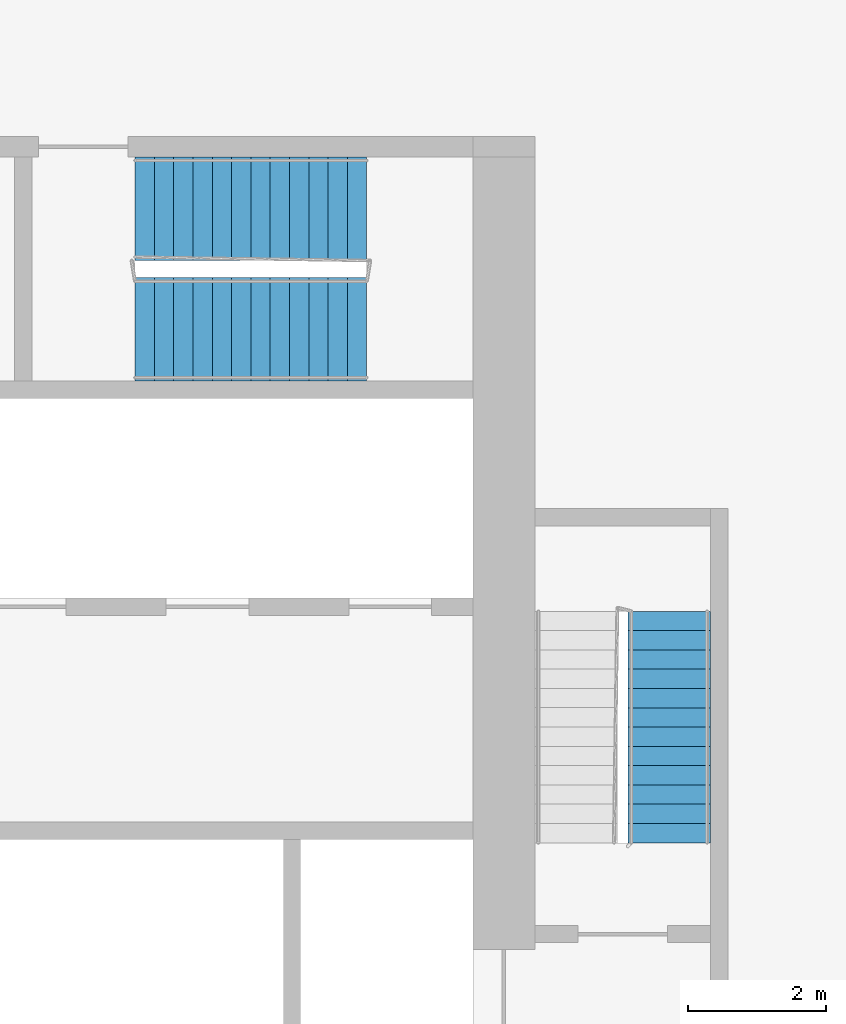
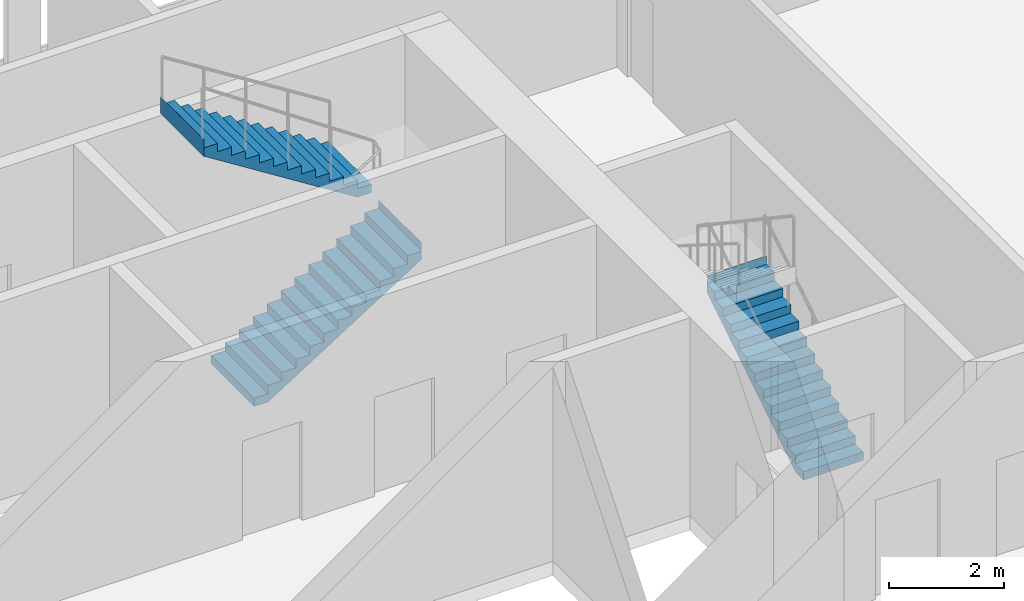
# One storey, part 20 of 22: 3 stair flights, 2 elements without a shape of their own.
"""IFC4 building model written with IfcOpenShell, lengths in metres."""

import ifcopenshell
import ifcopenshell.guid

model = None  # the IFC model being written
_history = None  # IfcOwnerHistory: only IFC2X3 demands one
_inside = {}  # id of a spatial element -> (the spatial element, [elements in it])
_under = {}  # id of a project, library or spatial element -> (it, [spatial elements below it])
_declared = {}  # id of a project -> (the project, [libraries it declares])
_typed = {}  # id of a type object -> (the type object, [elements of that type])
_made_of = {}  # id of a material, layer set ... -> (it, [elements and type objects made of it])


def new_model(schema):
    """Start an empty IFC model of exactly this schema.

    Asked for "IFC4X3", IfcOpenShell would pick the latest addendum, in which some entities
    have other attributes; the version numbers below select the first issue.
    IFC2X3 requires an IfcOwnerHistory on every rooted entity: one is made here for all.
    """
    global model, _history
    if schema == "IFC4X3":
        model = ifcopenshell.file(schema_version=(4, 3, 0, 0))
    else:
        model = ifcopenshell.file(schema=schema)
    _inside.clear()
    _under.clear()
    _declared.clear()
    _typed.clear()
    _made_of.clear()
    _history = None
    if model.schema == "IFC2X3":
        org = make("IfcOrganization", Name="unknown")
        user = make(
            "IfcPersonAndOrganization",
            ThePerson=make("IfcPerson", FamilyName="unknown"),
            TheOrganization=org,
        )
        app = make(
            "IfcApplication",
            ApplicationDeveloper=org,
            Version="unknown",
            ApplicationFullName="unknown",
            ApplicationIdentifier="unknown",
        )
        _history = make(
            "IfcOwnerHistory",
            OwningUser=user,
            OwningApplication=app,
            ChangeAction="ADDED",
            CreationDate=0,
        )
    return model


def make(cls, **values):
    """One entity of the class cls with the attributes given. An attribute that is None is left unset."""
    return model.create_entity(
        cls, **{name: value for name, value in values.items() if value is not None}
    )


def rooted(cls, **values):
    """An entity with a GlobalId (a new one), such as an element, a storey or a relation."""
    return make(cls, GlobalId=ifcopenshell.guid.new(), OwnerHistory=_history, **values)


def si_unit(unit_type, name, prefix=None):
    """IfcSIUnit, for example si_unit("LENGTHUNIT", "METRE", prefix="MILLI")."""
    return make("IfcSIUnit", UnitType=unit_type, Prefix=prefix, Name=name)


def assignment(units):
    """IfcUnitAssignment: the units of a project."""
    return None if units is None else make("IfcUnitAssignment", Units=units)


def point(xyz):
    """IfcCartesianPoint."""
    return None if xyz is None else make("IfcCartesianPoint", Coordinates=xyz)


def direction(xyz):
    """IfcDirection."""
    return None if xyz is None else make("IfcDirection", DirectionRatios=xyz)


def frame(location, z_axis=None, x_axis=None):
    """IfcAxis2Placement3D, a coordinate frame: its origin and axes. An axis left out is left unset."""
    return make(
        "IfcAxis2Placement3D",
        Location=point(location),
        Axis=direction(z_axis),
        RefDirection=direction(x_axis),
    )


def origin():
    """The frame at (0, 0, 0) with its axes left unset."""
    return frame((0.0, 0.0, 0.0))


def place(relative_to, where):
    """IfcLocalPlacement: puts the frame where relative to a parent placement (None: the world)."""
    return make(
        "IfcLocalPlacement", PlacementRelTo=relative_to, RelativePlacement=where
    )


def context(
    kind, dimensions, precision=None, world=None, true_north=None, identifier=None
):
    """IfcGeometricRepresentationContext, for example the 3D "Model" context."""
    return make(
        "IfcGeometricRepresentationContext",
        ContextIdentifier=identifier,
        ContextType=kind,
        CoordinateSpaceDimension=dimensions,
        Precision=precision,
        WorldCoordinateSystem=world,
        TrueNorth=true_north,
    )


def subcontext(parent, identifier, kind, view, scale=None):
    """IfcGeometricRepresentationSubContext, for example "Body" below "Model"."""
    return make(
        "IfcGeometricRepresentationSubContext",
        ContextIdentifier=identifier,
        ContextType=kind,
        ParentContext=parent,
        TargetScale=scale,
        TargetView=view,
    )


def project(units=None, contexts=None):
    """IfcProject with its units and contexts."""
    return rooted(
        "IfcProject",
        Name="project",
        RepresentationContexts=contexts,
        UnitsInContext=assignment(units),
    )


def spatial(cls, under=None, at=None, **own):
    """A site, building, storey or space (cls), placed at a placement, below another one or the project."""
    s = rooted(cls, ObjectPlacement=at, **own)
    if under is not None:
        _under.setdefault(under.id(), (under, []))[1].append(s)
    return s


def faces_of(points, faces, orient=None, outer=None):
    """IfcFace entities. A face is a list of loops; a loop is a list of indices into points, from 0.

    orient and outer hold one flag for each loop. By default every Orientation is true, the
    first loop of a face is its IfcFaceOuterBound and the others are IfcFaceBound.
    """
    made = []
    for i, loops in enumerate(faces):
        bounds = []
        for j, loop in enumerate(loops):
            is_outer = j == 0 if outer is None else outer[i][j]
            bounds.append(
                make(
                    "IfcFaceOuterBound" if is_outer else "IfcFaceBound",
                    Bound=make("IfcPolyLoop", Polygon=[points[k] for k in loop]),
                    Orientation=True if orient is None else orient[i][j],
                )
            )
        made.append(make("IfcFace", Bounds=bounds))
    return made


def faceted_brep(points, faces, orient=None, outer=None, voids=None):
    """IfcFacetedBrep: a solid bounded by flat faces; with voids (closed shells), ...WithVoids."""
    shared = [point(p) for p in points]
    hull = make("IfcClosedShell", CfsFaces=faces_of(shared, faces, orient, outer))
    if voids is None:
        return make("IfcFacetedBrep", Outer=hull)
    return make(
        "IfcFacetedBrepWithVoids",
        Outer=hull,
        Voids=[
            make(cls, CfsFaces=faces_of(shared, fs, o, b)) for cls, fs, o, b in voids
        ],
    )


def shape(context_of_items, identifier, shape_type, items):
    """IfcShapeRepresentation: the items that make up one representation, for example the "Body"."""
    return make(
        "IfcShapeRepresentation",
        ContextOfItems=context_of_items,
        RepresentationIdentifier=identifier,
        RepresentationType=shape_type,
        Items=items,
    )


def material(Name=None, Category=None):
    """IfcMaterial."""
    return make("IfcMaterial", Name=Name, Category=Category)


def made_of(thing, what):
    """Note that an element or type object is made of a material, layer set ...; save() writes the relation."""
    if what is not None:
        _made_of.setdefault(what.id(), (what, []))[1].append(thing)
    return thing


def type_object(cls, material=None, **own):
    """A type object (cls), such as IfcWallType, which elements share."""
    return made_of(rooted(cls, **own), material)


def element(
    cls,
    number,
    at=None,
    inside=None,
    cuts=None,
    type_object=None,
    material=None,
    context=None,
    identifier="Body",
    shape_type=None,
    held_by="IfcProductDefinitionShape",
    body=None,
    shapes=None,
    **own,
):
    """One element of the class cls, such as IfcWall. Its Tag is "e" and its number.

    at: its placement. inside: the storey or other place that contains it. cuts: it is an
    opening in that element (IfcRelVoidsElement). A single representation is given by context,
    identifier, shape_type and body (its items); several are given by shapes. held_by: the class
    of the entity that holds the representations. save() writes the other relations.
    """
    e = rooted(cls, Tag="e%d" % number, ObjectPlacement=at, **own)
    if body is not None:
        shapes = [shape(context, identifier, shape_type, body)]
    if shapes is not None:
        e.Representation = make(held_by, Representations=shapes)
    if inside is not None:
        _inside.setdefault(inside.id(), (inside, []))[1].append(e)
    if cuts is not None:
        rooted(
            "IfcRelVoidsElement", RelatingBuildingElement=cuts, RelatedOpeningElement=e
        )
    if type_object is not None:
        _typed.setdefault(type_object.id(), (type_object, []))[1].append(e)
    return made_of(e, material)


def aggregate(whole, parts):
    """IfcRelAggregates: a whole, such as a stair, and the parts it consists of."""
    return rooted("IfcRelAggregates", RelatingObject=whole, RelatedObjects=parts)


def save(model, path):
    """Write the relations noted so far, then the file.

    IfcRelAggregates (storeys below a building ...), IfcRelContainedInSpatialStructure (elements
    in a storey), IfcRelDefinesByType, IfcRelAssociatesMaterial and IfcRelDeclares: one each for
    every whole, place, type object, material and project.
    """
    for whole, parts in _under.values():
        aggregate(whole, parts)
    for where, things in _inside.values():
        rooted(
            "IfcRelContainedInSpatialStructure",
            RelatedElements=things,
            RelatingStructure=where,
        )
    for kind, things in _typed.values():
        rooted("IfcRelDefinesByType", RelatedObjects=things, RelatingType=kind)
    for what, things in _made_of.values():
        rooted("IfcRelAssociatesMaterial", RelatedObjects=things, RelatingMaterial=what)
    for by, libraries in _declared.values():
        rooted("IfcRelDeclares", RelatingContext=by, RelatedDefinitions=libraries)
    model.write(path)


model = new_model("IFC4")

# Units and contexts
model_context = context("Model", 3, precision=1e-05, world=origin(), true_north=direction((0.0, 1.0)))
body_context = subcontext(model_context, "Body", "Model", "MODEL_VIEW")
ifc_project = project(units=[si_unit("LENGTHUNIT", "METRE"), si_unit("AREAUNIT", "SQUARE_METRE"), si_unit("VOLUMEUNIT", "CUBIC_METRE"), si_unit("PLANEANGLEUNIT", "RADIAN"), si_unit("MASSUNIT", "GRAM", prefix="KILO")], contexts=[model_context])

# Site, building, storey
site_placement = place(None, origin())
site = spatial("IfcSite", under=ifc_project, at=site_placement, CompositionType="ELEMENT")
building_placement = place(site_placement, origin())
building = spatial("IfcBuilding", under=site, at=building_placement, Name="Kajstack Hotel Tower", CompositionType="ELEMENT")
storey_placement = place(building_placement, frame((0.0, 0.0, 99.60009765625)))
storey = spatial("IfcBuildingStorey", under=building, at=storey_placement, Name="L21", CompositionType="ELEMENT", Elevation=99.60009765625)

# Stair, stair flight
ifc_material = material(Name="Concrete C40/50", Category="concrete")
stair_type_1 = type_object("IfcStairType", Name="Exit stair 1200", PredefinedType="HALF_TURN_STAIR", material=ifc_material)
stair_1_placement = place(storey_placement, origin())
stair_1 = element("IfcStair", 1, at=stair_1_placement, inside=storey, type_object=stair_type_1, Name="L21 stair E1", PredefinedType="HALF_TURN_STAIR")
stair_flight_type_1 = type_object("IfcStairFlightType", Name="Exit stair flight 1200", PredefinedType="STRAIGHT", material=ifc_material)
stair_flight_1_placement = place(storey_placement, frame((33.449951171875, 5.25, 0.0), z_axis=(0.0, 0.0, 1.0), x_axis=(0.0, 1.0, 0.0)))
stair_flight_1 = element("IfcStairFlight", 2, at=stair_flight_1_placement, type_object=stair_flight_type_1, Name="E1 flight 1", NumberOfRisers=13, NumberOfTreads=12, PredefinedType="STRAIGHT", RiserHeight=0.176923077, TreadLength=0.28, context=body_context, shape_type="Brep", body=[
    faceted_brep([(0.281005859375, -0.60009765625, 0.0), (3.360595703125, -0.60009765625, 1.94580078125), (3.360595703125, -0.60009765625, 2.300048828125), (3.360107421875, -0.60009765625, 2.300048828125), (3.360107421875, -0.60009765625, 2.123046875), (3.080078125, -0.60009765625, 2.123046875), (3.080078125, -0.60009765625, 1.946044921875), (2.800048828125, -0.60009765625, 1.946044921875), (2.800048828125, -0.60009765625, 1.769287109375), (2.52001953125, -0.60009765625, 1.769287109375), (2.52001953125, -0.60009765625, 1.59228515625), (2.239990234375, -0.60009765625, 1.59228515625), (2.239990234375, -0.60009765625, 1.415283203125), (1.9599609375, -0.60009765625, 1.415283203125), (1.9599609375, -0.60009765625, 1.238525390625), (1.679931640625, -0.60009765625, 1.238525390625), (1.679931640625, -0.60009765625, 1.0615234375), (1.39990234375, -0.60009765625, 1.0615234375), (1.39990234375, -0.60009765625, 0.884521484375), (1.1201171875, -0.60009765625, 0.884521484375), (1.1201171875, -0.60009765625, 0.707763671875), (0.840087890625, -0.60009765625, 0.707763671875), (0.840087890625, -0.60009765625, 0.53076171875), (0.56005859375, -0.60009765625, 0.53076171875), (0.56005859375, -0.60009765625, 0.353759765625), (0.280029296875, -0.60009765625, 0.353759765625), (0.280029296875, -0.60009765625, 0.177001953125), (-0.00048828125, -0.60009765625, 0.177001953125), (-0.00048828125, -0.60009765625, 0.0), (-0.00048828125, 0.60009765625, 0.0), (-0.00048828125, 0.60009765625, 0.177001953125), (0.280029296875, 0.60009765625, 0.177001953125), (0.280029296875, 0.60009765625, 0.353759765625), (0.56005859375, 0.60009765625, 0.353759765625), (0.56005859375, 0.60009765625, 0.53076171875), (0.840087890625, 0.60009765625, 0.53076171875), (0.840087890625, 0.60009765625, 0.707763671875), (1.1201171875, 0.60009765625, 0.707763671875), (1.1201171875, 0.60009765625, 0.884521484375), (1.39990234375, 0.60009765625, 0.884521484375), (1.39990234375, 0.60009765625, 1.0615234375), (1.679931640625, 0.60009765625, 1.0615234375), (1.679931640625, 0.60009765625, 1.238525390625), (1.9599609375, 0.60009765625, 1.238525390625), (1.9599609375, 0.60009765625, 1.415283203125), (2.239990234375, 0.60009765625, 1.415283203125), (2.239990234375, 0.60009765625, 1.59228515625), (2.52001953125, 0.60009765625, 1.59228515625), (2.52001953125, 0.60009765625, 1.769287109375), (2.800048828125, 0.60009765625, 1.769287109375), (2.800048828125, 0.60009765625, 1.946044921875), (3.080078125, 0.60009765625, 1.946044921875), (3.080078125, 0.60009765625, 2.123046875), (3.360107421875, 0.60009765625, 2.123046875), (3.360107421875, 0.60009765625, 2.300048828125), (3.360595703125, 0.60009765625, 2.300048828125), (3.360595703125, 0.60009765625, 1.94580078125), (0.281005859375, 0.60009765625, 0.0), (-0.00048828125, -0.300048828125, 0.177001953125), (-0.00048828125, 0.0, 0.177001953125), (-0.00048828125, 0.300048828125, 0.177001953125), (-0.00048828125, 0.300048828125, 0.0), (-0.00048828125, 0.0, 0.0), (-0.00048828125, -0.300048828125, 0.0), (0.280029296875, -0.300048828125, 0.177001953125), (0.280029296875, 0.0, 0.177001953125), (0.280029296875, 0.300048828125, 0.177001953125), (0.280029296875, -0.300048828125, 0.353759765625), (0.280029296875, 0.0, 0.353759765625), (0.280029296875, 0.300048828125, 0.353759765625), (0.56005859375, -0.300048828125, 0.353759765625), (0.56005859375, 0.0, 0.353759765625), (0.56005859375, 0.300048828125, 0.353759765625), (0.56005859375, -0.300048828125, 0.53076171875), (0.56005859375, 0.0, 0.53076171875), (0.56005859375, 0.300048828125, 0.53076171875), (0.840087890625, -0.300048828125, 0.53076171875), (0.840087890625, 0.0, 0.53076171875), (0.840087890625, 0.300048828125, 0.53076171875), (0.840087890625, -0.300048828125, 0.707763671875), (0.840087890625, 0.0, 0.707763671875), (0.840087890625, 0.300048828125, 0.707763671875), (1.1201171875, -0.300048828125, 0.707763671875), (1.1201171875, 0.0, 0.707763671875), (1.1201171875, 0.300048828125, 0.707763671875), (1.1201171875, -0.300048828125, 0.884521484375), (1.1201171875, 0.0, 0.884521484375), (1.1201171875, 0.300048828125, 0.884521484375), (1.39990234375, -0.300048828125, 0.884521484375), (1.39990234375, 0.0, 0.884521484375), (1.39990234375, 0.300048828125, 0.884521484375), (1.39990234375, -0.300048828125, 1.0615234375), (1.39990234375, 0.0, 1.0615234375), (1.39990234375, 0.300048828125, 1.0615234375), (1.679931640625, -0.300048828125, 1.0615234375), (1.679931640625, 0.0, 1.0615234375), (1.679931640625, 0.300048828125, 1.0615234375), (1.679931640625, -0.300048828125, 1.238525390625), (1.679931640625, 0.0, 1.238525390625), (1.679931640625, 0.300048828125, 1.238525390625), (1.9599609375, -0.300048828125, 1.238525390625), (1.9599609375, 0.0, 1.238525390625), (1.9599609375, 0.300048828125, 1.238525390625), (1.9599609375, -0.300048828125, 1.415283203125), (1.9599609375, 0.0, 1.415283203125), (1.9599609375, 0.300048828125, 1.415283203125), (2.239990234375, -0.300048828125, 1.415283203125), (2.239990234375, 0.0, 1.415283203125), (2.239990234375, 0.300048828125, 1.415283203125), (2.239990234375, -0.300048828125, 1.59228515625), (2.239990234375, 0.0, 1.59228515625), (2.239990234375, 0.300048828125, 1.59228515625), (2.52001953125, -0.300048828125, 1.59228515625), (2.52001953125, 0.0, 1.59228515625), (2.52001953125, 0.300048828125, 1.59228515625), (2.52001953125, -0.300048828125, 1.769287109375), (2.52001953125, 0.0, 1.769287109375), (2.52001953125, 0.300048828125, 1.769287109375), (2.800048828125, -0.300048828125, 1.769287109375), (2.800048828125, 0.0, 1.769287109375), (2.800048828125, 0.300048828125, 1.769287109375), (2.800048828125, -0.300048828125, 1.946044921875), (2.800048828125, 0.0, 1.946044921875), (2.800048828125, 0.300048828125, 1.946044921875), (3.080078125, -0.300048828125, 1.946044921875), (3.080078125, 0.0, 1.946044921875), (3.080078125, 0.300048828125, 1.946044921875), (3.080078125, -0.300048828125, 2.123046875), (3.080078125, 0.0, 2.123046875), (3.080078125, 0.300048828125, 2.123046875), (3.360107421875, -0.300048828125, 2.123046875), (3.360107421875, 0.0, 2.123046875), (3.360107421875, 0.300048828125, 2.123046875), (3.360107421875, -0.300048828125, 2.300048828125), (3.360107421875, 0.0, 2.300048828125), (3.360107421875, 0.300048828125, 2.300048828125), (3.360595703125, -0.300048828125, 2.300048828125), (3.360595703125, 0.0, 2.300048828125), (3.360595703125, 0.300048828125, 2.300048828125), (3.360595703125, -0.300048828125, 1.94580078125), (3.360595703125, 0.0, 1.94580078125), (3.360595703125, 0.300048828125, 1.94580078125), (0.281005859375, -0.300048828125, 0.0), (0.281005859375, 0.0, 0.0), (0.281005859375, 0.300048828125, 0.0)], [[[0, 1, 2, 3, 4, 5, 6, 7, 8, 9, 10, 11, 12, 13, 14, 15, 16, 17, 18, 19, 20, 21, 22, 23, 24, 25, 26, 27, 28]], [[29, 30, 31, 32, 33, 34, 35, 36, 37, 38, 39, 40, 41, 42, 43, 44, 45, 46, 47, 48, 49, 50, 51, 52, 53, 54, 55, 56, 57]], [[27, 58, 59, 60, 30, 29, 61, 62, 63, 28]], [[26, 64, 65, 66, 31, 30, 60, 59, 58, 27]], [[25, 67, 68, 69, 32, 31, 66, 65, 64, 26]], [[24, 70, 71, 72, 33, 32, 69, 68, 67, 25]], [[23, 73, 74, 75, 34, 33, 72, 71, 70, 24]], [[22, 76, 77, 78, 35, 34, 75, 74, 73, 23]], [[21, 79, 80, 81, 36, 35, 78, 77, 76, 22]], [[20, 82, 83, 84, 37, 36, 81, 80, 79, 21]], [[19, 85, 86, 87, 38, 37, 84, 83, 82, 20]], [[18, 88, 89, 90, 39, 38, 87, 86, 85, 19]], [[17, 91, 92, 93, 40, 39, 90, 89, 88, 18]], [[16, 94, 95, 96, 41, 40, 93, 92, 91, 17]], [[15, 97, 98, 99, 42, 41, 96, 95, 94, 16]], [[14, 100, 101, 102, 43, 42, 99, 98, 97, 15]], [[13, 103, 104, 105, 44, 43, 102, 101, 100, 14]], [[12, 106, 107, 108, 45, 44, 105, 104, 103, 13]], [[11, 109, 110, 111, 46, 45, 108, 107, 106, 12]], [[10, 112, 113, 114, 47, 46, 111, 110, 109, 11]], [[9, 115, 116, 117, 48, 47, 114, 113, 112, 10]], [[8, 118, 119, 120, 49, 48, 117, 116, 115, 9]], [[7, 121, 122, 123, 50, 49, 120, 119, 118, 8]], [[6, 124, 125, 126, 51, 50, 123, 122, 121, 7]], [[5, 127, 128, 129, 52, 51, 126, 125, 124, 6]], [[4, 130, 131, 132, 53, 52, 129, 128, 127, 5]], [[3, 133, 134, 135, 54, 53, 132, 131, 130, 4]], [[2, 136, 137, 138, 55, 54, 135, 134, 133, 3]], [[1, 139, 140, 141, 56, 55, 138, 137, 136, 2]], [[0, 142, 143, 144, 57, 56, 141, 140, 139, 1]], [[28, 63, 62, 61, 29, 57, 144, 143, 142, 0]]]),
])
aggregate(stair_1, [stair_flight_1])

# Stair, stair flights
stair_type_2 = type_object("IfcStairType", Name="Exit stair 1500", PredefinedType="HALF_TURN_STAIR", material=ifc_material)
stair_2_placement = place(storey_placement, origin())
stair_2 = element("IfcStair", 3, at=stair_2_placement, inside=storey, type_object=stair_type_2, Name="L21 stair E3", PredefinedType="HALF_TURN_STAIR")
stair_flight_type_2 = type_object("IfcStairFlightType", Name="Exit stair flight 1500", PredefinedType="STRAIGHT", material=ifc_material)
stair_flight_2_placement = place(storey_placement, frame((25.699951171875, 12.699951171875, 0.0), z_axis=(0.0, 0.0, 1.0), x_axis=(1.0, 0.0, 0.0)))
stair_flight_2 = element("IfcStairFlight", 4, at=stair_flight_2_placement, type_object=stair_flight_type_2, Name="E3 flight 1", NumberOfRisers=13, NumberOfTreads=12, PredefinedType="STRAIGHT", RiserHeight=0.176923077, TreadLength=0.28, context=body_context, shape_type="Brep", body=[
    faceted_brep([(0.281005859375, -0.75, 0.0), (3.360595703125, -0.75, 1.94580078125), (3.360595703125, -0.75, 2.300048828125), (3.360107421875, -0.75, 2.300048828125), (3.360107421875, -0.75, 2.123046875), (3.080078125, -0.75, 2.123046875), (3.080078125, -0.75, 1.946044921875), (2.800048828125, -0.75, 1.946044921875), (2.800048828125, -0.75, 1.769287109375), (2.52001953125, -0.75, 1.769287109375), (2.52001953125, -0.75, 1.59228515625), (2.239990234375, -0.75, 1.59228515625), (2.239990234375, -0.75, 1.415283203125), (1.9599609375, -0.75, 1.415283203125), (1.9599609375, -0.75, 1.238525390625), (1.679931640625, -0.75, 1.238525390625), (1.679931640625, -0.75, 1.0615234375), (1.39990234375, -0.75, 1.0615234375), (1.39990234375, -0.75, 0.884521484375), (1.1201171875, -0.75, 0.884521484375), (1.1201171875, -0.75, 0.707763671875), (0.840087890625, -0.75, 0.707763671875), (0.840087890625, -0.75, 0.53076171875), (0.56005859375, -0.75, 0.53076171875), (0.56005859375, -0.75, 0.353759765625), (0.280029296875, -0.75, 0.353759765625), (0.280029296875, -0.75, 0.177001953125), (-0.00048828125, -0.75, 0.177001953125), (-0.00048828125, -0.75, 0.0), (-0.00048828125, 0.75, 0.0), (-0.00048828125, 0.75, 0.177001953125), (0.280029296875, 0.75, 0.177001953125), (0.280029296875, 0.75, 0.353759765625), (0.56005859375, 0.75, 0.353759765625), (0.56005859375, 0.75, 0.53076171875), (0.840087890625, 0.75, 0.53076171875), (0.840087890625, 0.75, 0.707763671875), (1.1201171875, 0.75, 0.707763671875), (1.1201171875, 0.75, 0.884521484375), (1.39990234375, 0.75, 0.884521484375), (1.39990234375, 0.75, 1.0615234375), (1.679931640625, 0.75, 1.0615234375), (1.679931640625, 0.75, 1.238525390625), (1.9599609375, 0.75, 1.238525390625), (1.9599609375, 0.75, 1.415283203125), (2.239990234375, 0.75, 1.415283203125), (2.239990234375, 0.75, 1.59228515625), (2.52001953125, 0.75, 1.59228515625), (2.52001953125, 0.75, 1.769287109375), (2.800048828125, 0.75, 1.769287109375), (2.800048828125, 0.75, 1.946044921875), (3.080078125, 0.75, 1.946044921875), (3.080078125, 0.75, 2.123046875), (3.360107421875, 0.75, 2.123046875), (3.360107421875, 0.75, 2.300048828125), (3.360595703125, 0.75, 2.300048828125), (3.360595703125, 0.75, 1.94580078125), (0.281005859375, 0.75, 0.0), (-0.00048828125, -0.375, 0.177001953125), (-0.00048828125, 0.0, 0.177001953125), (-0.00048828125, 0.375, 0.177001953125), (-0.00048828125, 0.375, 0.0), (-0.00048828125, 0.0, 0.0), (-0.00048828125, -0.375, 0.0), (0.280029296875, -0.375, 0.177001953125), (0.280029296875, 0.0, 0.177001953125), (0.280029296875, 0.375, 0.177001953125), (0.280029296875, -0.375, 0.353759765625), (0.280029296875, 0.0, 0.353759765625), (0.280029296875, 0.375, 0.353759765625), (0.56005859375, -0.375, 0.353759765625), (0.56005859375, 0.0, 0.353759765625), (0.56005859375, 0.375, 0.353759765625), (0.56005859375, -0.375, 0.53076171875), (0.56005859375, 0.0, 0.53076171875), (0.56005859375, 0.375, 0.53076171875), (0.840087890625, -0.375, 0.53076171875), (0.840087890625, 0.0, 0.53076171875), (0.840087890625, 0.375, 0.53076171875), (0.840087890625, -0.375, 0.707763671875), (0.840087890625, 0.0, 0.707763671875), (0.840087890625, 0.375, 0.707763671875), (1.1201171875, -0.375, 0.707763671875), (1.1201171875, 0.0, 0.707763671875), (1.1201171875, 0.375, 0.707763671875), (1.1201171875, -0.375, 0.884521484375), (1.1201171875, 0.0, 0.884521484375), (1.1201171875, 0.375, 0.884521484375), (1.39990234375, -0.375, 0.884521484375), (1.39990234375, 0.0, 0.884521484375), (1.39990234375, 0.375, 0.884521484375), (1.39990234375, -0.375, 1.0615234375), (1.39990234375, 0.0, 1.0615234375), (1.39990234375, 0.375, 1.0615234375), (1.679931640625, -0.375, 1.0615234375), (1.679931640625, 0.0, 1.0615234375), (1.679931640625, 0.375, 1.0615234375), (1.679931640625, -0.375, 1.238525390625), (1.679931640625, 0.0, 1.238525390625), (1.679931640625, 0.375, 1.238525390625), (1.9599609375, -0.375, 1.238525390625), (1.9599609375, 0.0, 1.238525390625), (1.9599609375, 0.375, 1.238525390625), (1.9599609375, -0.375, 1.415283203125), (1.9599609375, 0.0, 1.415283203125), (1.9599609375, 0.375, 1.415283203125), (2.239990234375, -0.375, 1.415283203125), (2.239990234375, 0.0, 1.415283203125), (2.239990234375, 0.375, 1.415283203125), (2.239990234375, -0.375, 1.59228515625), (2.239990234375, 0.0, 1.59228515625), (2.239990234375, 0.375, 1.59228515625), (2.52001953125, -0.375, 1.59228515625), (2.52001953125, 0.0, 1.59228515625), (2.52001953125, 0.375, 1.59228515625), (2.52001953125, -0.375, 1.769287109375), (2.52001953125, 0.0, 1.769287109375), (2.52001953125, 0.375, 1.769287109375), (2.800048828125, -0.375, 1.769287109375), (2.800048828125, 0.0, 1.769287109375), (2.800048828125, 0.375, 1.769287109375), (2.800048828125, -0.375, 1.946044921875), (2.800048828125, 0.0, 1.946044921875), (2.800048828125, 0.375, 1.946044921875), (3.080078125, -0.375, 1.946044921875), (3.080078125, 0.0, 1.946044921875), (3.080078125, 0.375, 1.946044921875), (3.080078125, -0.375, 2.123046875), (3.080078125, 0.0, 2.123046875), (3.080078125, 0.375, 2.123046875), (3.360107421875, -0.375, 2.123046875), (3.360107421875, 0.0, 2.123046875), (3.360107421875, 0.375, 2.123046875), (3.360107421875, -0.375, 2.300048828125), (3.360107421875, 0.0, 2.300048828125), (3.360107421875, 0.375, 2.300048828125), (3.360595703125, -0.375, 2.300048828125), (3.360595703125, 0.0, 2.300048828125), (3.360595703125, 0.375, 2.300048828125), (3.360595703125, -0.375, 1.94580078125), (3.360595703125, 0.0, 1.94580078125), (3.360595703125, 0.375, 1.94580078125), (0.281005859375, -0.375, 0.0), (0.281005859375, 0.0, 0.0), (0.281005859375, 0.375, 0.0)], [[[0, 1, 2, 3, 4, 5, 6, 7, 8, 9, 10, 11, 12, 13, 14, 15, 16, 17, 18, 19, 20, 21, 22, 23, 24, 25, 26, 27, 28]], [[29, 30, 31, 32, 33, 34, 35, 36, 37, 38, 39, 40, 41, 42, 43, 44, 45, 46, 47, 48, 49, 50, 51, 52, 53, 54, 55, 56, 57]], [[27, 58, 59, 60, 30, 29, 61, 62, 63, 28]], [[26, 64, 65, 66, 31, 30, 60, 59, 58, 27]], [[25, 67, 68, 69, 32, 31, 66, 65, 64, 26]], [[24, 70, 71, 72, 33, 32, 69, 68, 67, 25]], [[23, 73, 74, 75, 34, 33, 72, 71, 70, 24]], [[22, 76, 77, 78, 35, 34, 75, 74, 73, 23]], [[21, 79, 80, 81, 36, 35, 78, 77, 76, 22]], [[20, 82, 83, 84, 37, 36, 81, 80, 79, 21]], [[19, 85, 86, 87, 38, 37, 84, 83, 82, 20]], [[18, 88, 89, 90, 39, 38, 87, 86, 85, 19]], [[17, 91, 92, 93, 40, 39, 90, 89, 88, 18]], [[16, 94, 95, 96, 41, 40, 93, 92, 91, 17]], [[15, 97, 98, 99, 42, 41, 96, 95, 94, 16]], [[14, 100, 101, 102, 43, 42, 99, 98, 97, 15]], [[13, 103, 104, 105, 44, 43, 102, 101, 100, 14]], [[12, 106, 107, 108, 45, 44, 105, 104, 103, 13]], [[11, 109, 110, 111, 46, 45, 108, 107, 106, 12]], [[10, 112, 113, 114, 47, 46, 111, 110, 109, 11]], [[9, 115, 116, 117, 48, 47, 114, 113, 112, 10]], [[8, 118, 119, 120, 49, 48, 117, 116, 115, 9]], [[7, 121, 122, 123, 50, 49, 120, 119, 118, 8]], [[6, 124, 125, 126, 51, 50, 123, 122, 121, 7]], [[5, 127, 128, 129, 52, 51, 126, 125, 124, 6]], [[4, 130, 131, 132, 53, 52, 129, 128, 127, 5]], [[3, 133, 134, 135, 54, 53, 132, 131, 130, 4]], [[2, 136, 137, 138, 55, 54, 135, 134, 133, 3]], [[1, 139, 140, 141, 56, 55, 138, 137, 136, 2]], [[0, 142, 143, 144, 57, 56, 141, 140, 139, 1]], [[28, 63, 62, 61, 29, 57, 144, 143, 142, 0]]]),
])
stair_flight_3_placement = place(storey_placement, frame((29.06005859375, 14.449951171875, 2.2998046875), z_axis=(0.0, 0.0, 1.0), x_axis=(-1.0, 0.0, 0.0)))
stair_flight_3 = element("IfcStairFlight", 5, at=stair_flight_3_placement, type_object=stair_flight_type_2, Name="E3 flight 2", NumberOfRisers=13, NumberOfTreads=12, PredefinedType="STRAIGHT", RiserHeight=0.176923077, TreadLength=0.28, context=body_context, shape_type="Brep", body=[
    faceted_brep([(0.281005859375, -0.75, 0.0), (3.360595703125, -0.75, 1.94580078125), (3.360595703125, -0.75, 2.300048828125), (3.360107421875, -0.75, 2.300048828125), (3.360107421875, -0.75, 2.123046875), (3.080078125, -0.75, 2.123046875), (3.080078125, -0.75, 1.946044921875), (2.800048828125, -0.75, 1.946044921875), (2.800048828125, -0.75, 1.769287109375), (2.52001953125, -0.75, 1.769287109375), (2.52001953125, -0.75, 1.59228515625), (2.239990234375, -0.75, 1.59228515625), (2.239990234375, -0.75, 1.415283203125), (1.9599609375, -0.75, 1.415283203125), (1.9599609375, -0.75, 1.238525390625), (1.679931640625, -0.75, 1.238525390625), (1.679931640625, -0.75, 1.0615234375), (1.39990234375, -0.75, 1.0615234375), (1.39990234375, -0.75, 0.884521484375), (1.1201171875, -0.75, 0.884521484375), (1.1201171875, -0.75, 0.707763671875), (0.840087890625, -0.75, 0.707763671875), (0.840087890625, -0.75, 0.53076171875), (0.56005859375, -0.75, 0.53076171875), (0.56005859375, -0.75, 0.353759765625), (0.280029296875, -0.75, 0.353759765625), (0.280029296875, -0.75, 0.177001953125), (-0.00048828125, -0.75, 0.177001953125), (-0.00048828125, -0.75, 0.0), (-0.00048828125, 0.75, 0.0), (-0.00048828125, 0.75, 0.177001953125), (0.280029296875, 0.75, 0.177001953125), (0.280029296875, 0.75, 0.353759765625), (0.56005859375, 0.75, 0.353759765625), (0.56005859375, 0.75, 0.53076171875), (0.840087890625, 0.75, 0.53076171875), (0.840087890625, 0.75, 0.707763671875), (1.1201171875, 0.75, 0.707763671875), (1.1201171875, 0.75, 0.884521484375), (1.39990234375, 0.75, 0.884521484375), (1.39990234375, 0.75, 1.0615234375), (1.679931640625, 0.75, 1.0615234375), (1.679931640625, 0.75, 1.238525390625), (1.9599609375, 0.75, 1.238525390625), (1.9599609375, 0.75, 1.415283203125), (2.239990234375, 0.75, 1.415283203125), (2.239990234375, 0.75, 1.59228515625), (2.52001953125, 0.75, 1.59228515625), (2.52001953125, 0.75, 1.769287109375), (2.800048828125, 0.75, 1.769287109375), (2.800048828125, 0.75, 1.946044921875), (3.080078125, 0.75, 1.946044921875), (3.080078125, 0.75, 2.123046875), (3.360107421875, 0.75, 2.123046875), (3.360107421875, 0.75, 2.300048828125), (3.360595703125, 0.75, 2.300048828125), (3.360595703125, 0.75, 1.94580078125), (0.281005859375, 0.75, 0.0), (-0.00048828125, -0.375, 0.177001953125), (-0.00048828125, 0.0, 0.177001953125), (-0.00048828125, 0.375, 0.177001953125), (-0.00048828125, 0.375, 0.0), (-0.00048828125, 0.0, 0.0), (-0.00048828125, -0.375, 0.0), (0.280029296875, -0.375, 0.177001953125), (0.280029296875, 0.0, 0.177001953125), (0.280029296875, 0.375, 0.177001953125), (0.280029296875, -0.375, 0.353759765625), (0.280029296875, 0.0, 0.353759765625), (0.280029296875, 0.375, 0.353759765625), (0.56005859375, -0.375, 0.353759765625), (0.56005859375, 0.0, 0.353759765625), (0.56005859375, 0.375, 0.353759765625), (0.56005859375, -0.375, 0.53076171875), (0.56005859375, 0.0, 0.53076171875), (0.56005859375, 0.375, 0.53076171875), (0.840087890625, -0.375, 0.53076171875), (0.840087890625, 0.0, 0.53076171875), (0.840087890625, 0.375, 0.53076171875), (0.840087890625, -0.375, 0.707763671875), (0.840087890625, 0.0, 0.707763671875), (0.840087890625, 0.375, 0.707763671875), (1.1201171875, -0.375, 0.707763671875), (1.1201171875, 0.0, 0.707763671875), (1.1201171875, 0.375, 0.707763671875), (1.1201171875, -0.375, 0.884521484375), (1.1201171875, 0.0, 0.884521484375), (1.1201171875, 0.375, 0.884521484375), (1.39990234375, -0.375, 0.884521484375), (1.39990234375, 0.0, 0.884521484375), (1.39990234375, 0.375, 0.884521484375), (1.39990234375, -0.375, 1.0615234375), (1.39990234375, 0.0, 1.0615234375), (1.39990234375, 0.375, 1.0615234375), (1.679931640625, -0.375, 1.0615234375), (1.679931640625, 0.0, 1.0615234375), (1.679931640625, 0.375, 1.0615234375), (1.679931640625, -0.375, 1.238525390625), (1.679931640625, 0.0, 1.238525390625), (1.679931640625, 0.375, 1.238525390625), (1.9599609375, -0.375, 1.238525390625), (1.9599609375, 0.0, 1.238525390625), (1.9599609375, 0.375, 1.238525390625), (1.9599609375, -0.375, 1.415283203125), (1.9599609375, 0.0, 1.415283203125), (1.9599609375, 0.375, 1.415283203125), (2.239990234375, -0.375, 1.415283203125), (2.239990234375, 0.0, 1.415283203125), (2.239990234375, 0.375, 1.415283203125), (2.239990234375, -0.375, 1.59228515625), (2.239990234375, 0.0, 1.59228515625), (2.239990234375, 0.375, 1.59228515625), (2.52001953125, -0.375, 1.59228515625), (2.52001953125, 0.0, 1.59228515625), (2.52001953125, 0.375, 1.59228515625), (2.52001953125, -0.375, 1.769287109375), (2.52001953125, 0.0, 1.769287109375), (2.52001953125, 0.375, 1.769287109375), (2.800048828125, -0.375, 1.769287109375), (2.800048828125, 0.0, 1.769287109375), (2.800048828125, 0.375, 1.769287109375), (2.800048828125, -0.375, 1.946044921875), (2.800048828125, 0.0, 1.946044921875), (2.800048828125, 0.375, 1.946044921875), (3.080078125, -0.375, 1.946044921875), (3.080078125, 0.0, 1.946044921875), (3.080078125, 0.375, 1.946044921875), (3.080078125, -0.375, 2.123046875), (3.080078125, 0.0, 2.123046875), (3.080078125, 0.375, 2.123046875), (3.360107421875, -0.375, 2.123046875), (3.360107421875, 0.0, 2.123046875), (3.360107421875, 0.375, 2.123046875), (3.360107421875, -0.375, 2.300048828125), (3.360107421875, 0.0, 2.300048828125), (3.360107421875, 0.375, 2.300048828125), (3.360595703125, -0.375, 2.300048828125), (3.360595703125, 0.0, 2.300048828125), (3.360595703125, 0.375, 2.300048828125), (3.360595703125, -0.375, 1.94580078125), (3.360595703125, 0.0, 1.94580078125), (3.360595703125, 0.375, 1.94580078125), (0.281005859375, -0.375, 0.0), (0.281005859375, 0.0, 0.0), (0.281005859375, 0.375, 0.0)], [[[0, 1, 2, 3, 4, 5, 6, 7, 8, 9, 10, 11, 12, 13, 14, 15, 16, 17, 18, 19, 20, 21, 22, 23, 24, 25, 26, 27, 28]], [[29, 30, 31, 32, 33, 34, 35, 36, 37, 38, 39, 40, 41, 42, 43, 44, 45, 46, 47, 48, 49, 50, 51, 52, 53, 54, 55, 56, 57]], [[27, 58, 59, 60, 30, 29, 61, 62, 63, 28]], [[26, 64, 65, 66, 31, 30, 60, 59, 58, 27]], [[25, 67, 68, 69, 32, 31, 66, 65, 64, 26]], [[24, 70, 71, 72, 33, 32, 69, 68, 67, 25]], [[23, 73, 74, 75, 34, 33, 72, 71, 70, 24]], [[22, 76, 77, 78, 35, 34, 75, 74, 73, 23]], [[21, 79, 80, 81, 36, 35, 78, 77, 76, 22]], [[20, 82, 83, 84, 37, 36, 81, 80, 79, 21]], [[19, 85, 86, 87, 38, 37, 84, 83, 82, 20]], [[18, 88, 89, 90, 39, 38, 87, 86, 85, 19]], [[17, 91, 92, 93, 40, 39, 90, 89, 88, 18]], [[16, 94, 95, 96, 41, 40, 93, 92, 91, 17]], [[15, 97, 98, 99, 42, 41, 96, 95, 94, 16]], [[14, 100, 101, 102, 43, 42, 99, 98, 97, 15]], [[13, 103, 104, 105, 44, 43, 102, 101, 100, 14]], [[12, 106, 107, 108, 45, 44, 105, 104, 103, 13]], [[11, 109, 110, 111, 46, 45, 108, 107, 106, 12]], [[10, 112, 113, 114, 47, 46, 111, 110, 109, 11]], [[9, 115, 116, 117, 48, 47, 114, 113, 112, 10]], [[8, 118, 119, 120, 49, 48, 117, 116, 115, 9]], [[7, 121, 122, 123, 50, 49, 120, 119, 118, 8]], [[6, 124, 125, 126, 51, 50, 123, 122, 121, 7]], [[5, 127, 128, 129, 52, 51, 126, 125, 124, 6]], [[4, 130, 131, 132, 53, 52, 129, 128, 127, 5]], [[3, 133, 134, 135, 54, 53, 132, 131, 130, 4]], [[2, 136, 137, 138, 55, 54, 135, 134, 133, 3]], [[1, 139, 140, 141, 56, 55, 138, 137, 136, 2]], [[0, 142, 143, 144, 57, 56, 141, 140, 139, 1]], [[28, 63, 62, 61, 29, 57, 144, 143, 142, 0]]]),
])
aggregate(stair_2, [stair_flight_2, stair_flight_3])

save(model, "model.ifc")
